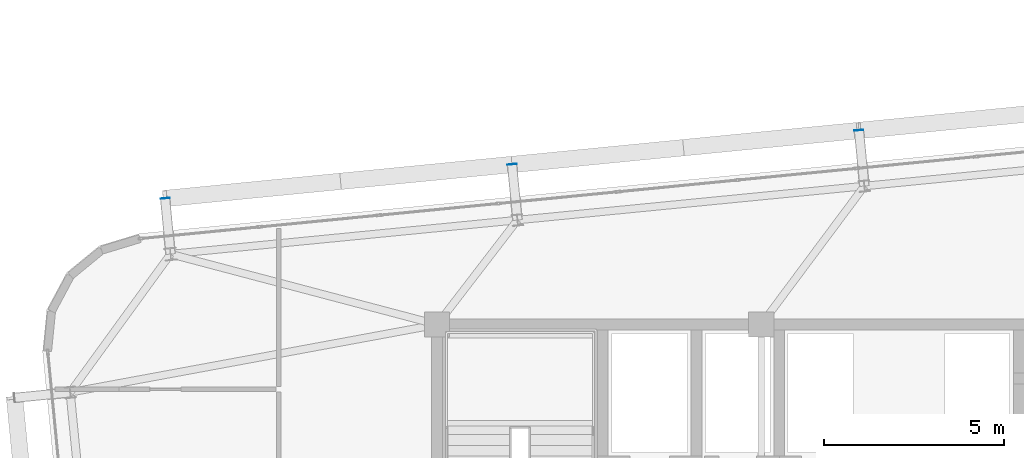
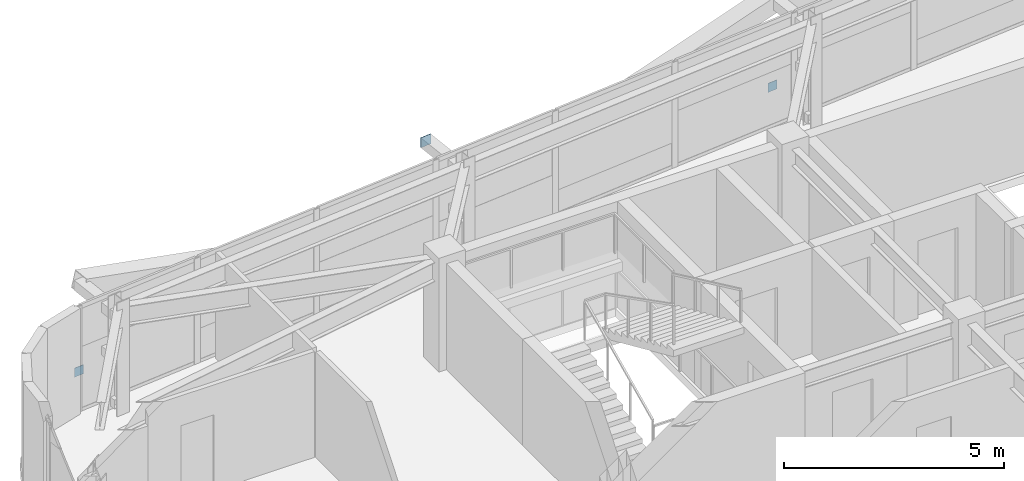
# One storey, part 43 of 52: 3 plates.
"""IFC4 building model written with IfcOpenShell, lengths in metres."""

from ifc_helpers import new_model, si_unit, direction, frame, origin, origin_2d, place, context, subcontext, project, spatial, rectangle, extrude, source, transform, mapped, material, layer, layer_set, type_object, element, save


model = new_model("IFC4")

# Units and contexts
model_context = context("Model", 3, precision=1e-05, world=origin(), true_north=direction((0.0, 1.0)))
body_context = subcontext(model_context, "Body", "Model", "MODEL_VIEW")
ifc_project = project(units=[si_unit("LENGTHUNIT", "METRE"), si_unit("AREAUNIT", "SQUARE_METRE"), si_unit("VOLUMEUNIT", "CUBIC_METRE"), si_unit("PLANEANGLEUNIT", "RADIAN"), si_unit("MASSUNIT", "GRAM", prefix="KILO")], contexts=[model_context])

# Site, building, storey
site_placement = place(None, origin())
site = spatial("IfcSite", under=ifc_project, at=site_placement, CompositionType="ELEMENT")
building_placement = place(site_placement, origin())
building = spatial("IfcBuilding", under=site, at=building_placement, Name="Taldren Reach Tower", CompositionType="ELEMENT")
storey_placement = place(building_placement, frame((0.0, 0.0, 77.699951171875)))
storey = spatial("IfcBuildingStorey", under=building, at=storey_placement, Name="L23", CompositionType="ELEMENT", Elevation=77.699951171875)

# Plates
ifc_material_1 = material(Name="Steel Gr 450 (C450L0)", Category="steel")
ifc_layer_1 = layer(ifc_material_1, 0.011962890625)
ifc_layer_set_1 = layer_set([ifc_layer_1], Name="Steel Gr 450 (C450L0)")
plate_type_1 = type_object("IfcPlateType", Name="PL-CAP-275", PredefinedType="SHEET", material=ifc_layer_set_1)
shared_shape_1 = source(origin(), body_context, "Body", "SweptSolid", [
    extrude(rectangle(XDim=0.27490234375, YDim=0.011962890625, at=origin_2d()), origin(), (0.0, 0.0, 1.0), 0.27490234375),
])
plate_placement = place(storey_placement, frame((21.078857421875, 36.449951171875, 2.5126953125), z_axis=(0.0, 0.0, 1.0), x_axis=(0.995227399982, 0.097582899759, 0.0)))
element("IfcPlate", 1, at=plate_placement, inside=storey, type_object=plate_type_1, Name="Tie strut end cap plate B2-N2 L23", PredefinedType="SHEET", context=body_context, shape_type="MappedRepresentation", body=[
    mapped(shared_shape_1, transform((0.0, 0.0, 0.0), scale=1.0)),
])
ifc_material_2 = material(Name="Steel Gr 350 (C350L0)", Category="steel")
ifc_layer_2 = layer(ifc_material_2, 0.011962890625)
ifc_layer_set_2 = layer_set([ifc_layer_2], Name="Steel Gr 350 (C350L0)")
plate_type_2 = type_object("IfcPlateType", Name="PL-CAP-250", PredefinedType="SHEET", material=ifc_layer_set_2)
shared_shape_2 = source(origin(), body_context, "Body", "SweptSolid", [
    extrude(rectangle(XDim=0.25, YDim=0.011962890625, at=origin_2d()), origin(), (0.0, 0.0, 1.0), 0.25),
])
for number, where, z_axis, x_axis, name in (
    (2, (11.445068359375, 35.50537109375, 0.094970703125), (0.0, 0.0, 1.0), (0.995227399982, 0.097582899759, 0.0), "Tie strut end cap plate B2-N1 L23"),
    (3, (30.712646484375, 37.394775390625, 0.094970703125), (0.0, 0.0, 1.0), (0.995227399982, 0.097582899759, 0.0), "Tie strut end cap plate B2-N3 L23"),
):
    element("IfcPlate", number, at=place(storey_placement, frame(where, z_axis=z_axis, x_axis=x_axis)), inside=storey, type_object=plate_type_2, Name=name, PredefinedType="SHEET", context=body_context, shape_type="MappedRepresentation", body=[
        mapped(shared_shape_2, transform((0.0, 0.0, 0.0), scale=1.0)),
    ])

save(model, "model.ifc")
